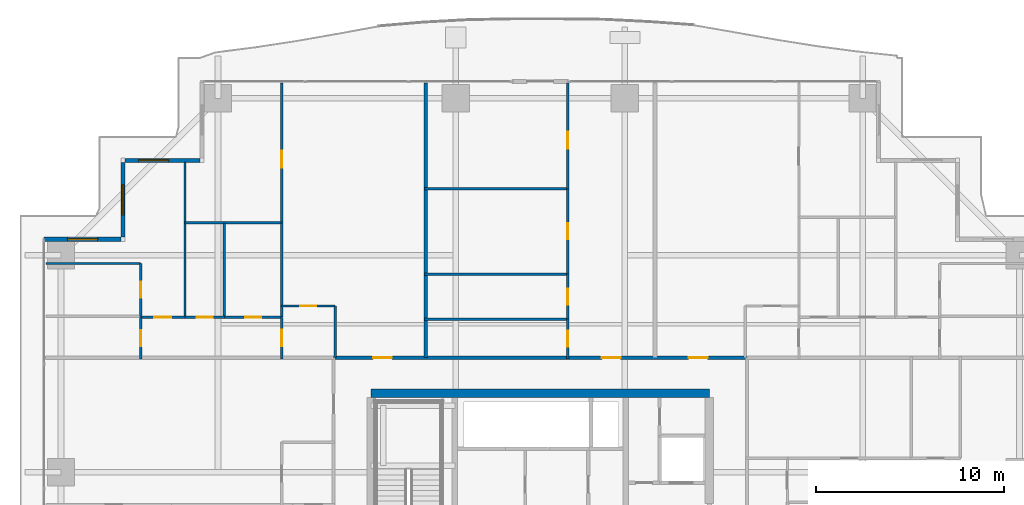
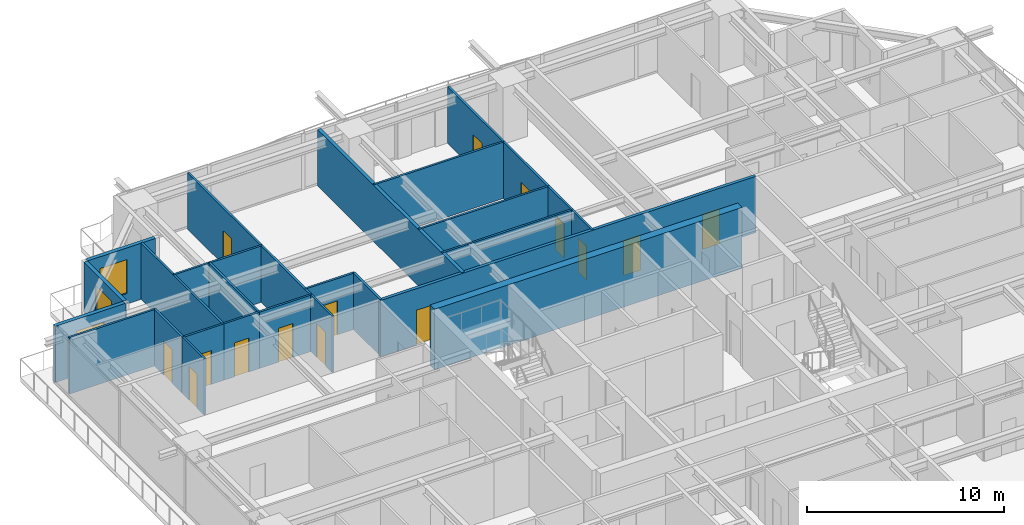
# One storey, part 30 of 37: 27 walls, 15 doors, 3 windows, 18 openings.
"""IFC4 building model written with IfcOpenShell, lengths in metres."""

from ifc_helpers import new_model, si_unit, direction, frame, frame_2d, origin, place, context, subcontext, project, spatial, rectangle, extrude, source, transform, mapped, material, layer, layer_set, type_object, element, fill, save


model = new_model("IFC4")

# Units and contexts
model_context = context("Model", 3, precision=1e-05, world=origin(), true_north=direction((0.0, 1.0)))
body_context = subcontext(model_context, "Body", "Model", "MODEL_VIEW")
ifc_project = project(units=[si_unit("LENGTHUNIT", "METRE"), si_unit("AREAUNIT", "SQUARE_METRE"), si_unit("VOLUMEUNIT", "CUBIC_METRE"), si_unit("PLANEANGLEUNIT", "RADIAN"), si_unit("MASSUNIT", "GRAM", prefix="KILO")], contexts=[model_context])

# Site, building, storey
site_placement = place(None, origin())
site = spatial("IfcSite", under=ifc_project, at=site_placement, CompositionType="ELEMENT")
building_placement = place(site_placement, origin())
building = spatial("IfcBuilding", under=site, at=building_placement, Name="Serunith Strait Residences", CompositionType="ELEMENT")
storey_placement = place(building_placement, frame((0.0, 0.0, 34.199951171875)))
storey = spatial("IfcBuildingStorey", under=building, at=storey_placement, Name="L07", CompositionType="ELEMENT", Elevation=34.199951171875)

# Wall, opening, window
ifc_material_1 = material(Name="Pale-Champagne Aluminium Insulated Panel", Category="aluminium")
ifc_layer_1 = layer(ifc_material_1, 0.219970703125, Name="Pale-Champagne Aluminium Insulated Panel")
ifc_layer_set_1 = layer_set([ifc_layer_1], Name="Pale-Champagne Aluminium Insulated Panel")
wall_type_1 = type_object("IfcWallType", Name="EW-ALUM-220", PredefinedType="ELEMENTEDWALL", material=ifc_layer_set_1)
wall_1_placement = place(storey_placement, frame((14.2900390625, 46.0, 0.0), z_axis=(0.0, 0.0, 1.0), x_axis=(-1.0, 0.0, 0.0)))
wall_1 = element("IfcWall", 1, at=wall_1_placement, inside=storey, type_object=wall_type_1, Name="L07 Girih Serrated Corner Wall 13", PredefinedType="ELEMENTEDWALL", context=body_context, shape_type="SweptSolid", body=[
    extrude(rectangle(XDim=3.97998046875, YDim=0.219970703125, at=frame_2d((1.989990234375, 0.0))), origin(), (0.0, 0.0, 1.0), 3.47509765625),
])
opening_1_placement = place(wall_1_placement, frame((1.666015625, 0.0, 0.64990234375)))
opening_1 = element("IfcOpeningElement", 2, at=opening_1_placement, cuts=wall_1, Name="Opening W-02", PredefinedType="OPENING", context=body_context, shape_type="SweptSolid", body=[
    extrude(rectangle(XDim=1.60009765625, YDim=2.10009765625, at=frame_2d((0.800048828125, 1.050048828125))), frame((0.0, 0.1201171875, 0.0), z_axis=(0.0, -1.0, 0.0), x_axis=(1.0, 0.0, 0.0)), (0.0, 0.0, 1.0), 0.239990234375),
])
ifc_material_2 = material(Name="Ceramic-Fritted Operable Aluminium Window Glass", Category="aluminium")
window_type = type_object("IfcWindowType", Name="WIN-C2", PartitioningType="DOUBLE_PANEL_VERTICAL", PredefinedType="WINDOW", material=ifc_material_2)
shared_shape_1 = source(origin(), body_context, "Body", "SweptSolid", [
    extrude(rectangle(XDim=1.60009765625, YDim=2.10009765625, at=frame_2d((0.800048828125, 1.050048828125))), frame((0.0, 0.030029296875, 0.0), z_axis=(0.0, -1.0, 0.0), x_axis=(1.0, 0.0, 0.0)), (0.0, 0.0, 1.0), 0.06005859375),
])
window_1_placement = place(opening_1_placement, origin())
window_1 = element("IfcWindow", 3, at=window_1_placement, inside=storey, type_object=window_type, Name="L07 Corner Operable Fritted Window 13", OverallHeight=2.10009765625, OverallWidth=1.60009765625, PartitioningType="SINGLE_PANEL", PredefinedType="WINDOW", context=body_context, shape_type="MappedRepresentation", body=[
    mapped(shared_shape_1, transform((0.0, 0.0, 0.0), scale=1.0)),
])
fill(opening_1, window_1)

wall_2_placement = place(storey_placement, frame((10.199951171875, 45.889892578125, 0.0), z_axis=(0.0, 0.0, 1.0), x_axis=(0.0, -1.0, 0.0)))
wall_2 = element("IfcWall", 4, at=wall_2_placement, inside=storey, type_object=wall_type_1, Name="L07 Girih Serrated Corner Wall 14", PredefinedType="ELEMENTEDWALL", context=body_context, shape_type="SweptSolid", body=[
    extrude(rectangle(XDim=3.97998046875, YDim=0.219970703125, at=frame_2d((1.989990234375, 0.0))), origin(), (0.0, 0.0, 1.0), 3.47509765625),
])
opening_2_placement = place(wall_2_placement, frame((1.18994140625, 0.0, 0.64990234375)))
opening_2 = element("IfcOpeningElement", 5, at=opening_2_placement, cuts=wall_2, Name="Opening W-02", PredefinedType="OPENING", context=body_context, shape_type="SweptSolid", body=[
    extrude(rectangle(XDim=1.60009765625, YDim=2.10009765625, at=frame_2d((0.800048828125, 1.050048828125))), frame((0.0, 0.1201171875, 0.0), z_axis=(0.0, -1.0, 0.0), x_axis=(1.0, 0.0, 0.0)), (0.0, 0.0, 1.0), 0.239990234375),
])
window_2_placement = place(opening_2_placement, origin())
window_2 = element("IfcWindow", 6, at=window_2_placement, inside=storey, type_object=window_type, Name="L07 Corner Operable Fritted Window 14", OverallHeight=2.10009765625, OverallWidth=1.60009765625, PartitioningType="SINGLE_PANEL", PredefinedType="WINDOW", context=body_context, shape_type="MappedRepresentation", body=[
    mapped(shared_shape_1, transform((0.0, 0.0, 0.0), scale=1.0)),
])
fill(opening_2, window_2)

wall_3_placement = place(storey_placement, frame((10.090087890625, 41.800048828125, 0.0), z_axis=(0.0, 0.0, 1.0), x_axis=(-1.0, 0.0, 0.0)))
wall_3 = element("IfcWall", 7, at=wall_3_placement, inside=storey, type_object=wall_type_1, Name="L07 Girih Serrated Corner Wall 15", PredefinedType="ELEMENTEDWALL", context=body_context, shape_type="SweptSolid", body=[
    extrude(rectangle(XDim=4.090087890625, YDim=0.219970703125, at=frame_2d((2.044921875, 0.0))), origin(), (0.0, 0.0, 1.0), 3.47509765625),
])
opening_3_placement = place(wall_3_placement, frame((1.2451171875, 0.0, 0.64990234375)))
opening_3 = element("IfcOpeningElement", 8, at=opening_3_placement, cuts=wall_3, Name="Opening W-02", PredefinedType="OPENING", context=body_context, shape_type="SweptSolid", body=[
    extrude(rectangle(XDim=1.60009765625, YDim=2.10009765625, at=frame_2d((0.800048828125, 1.050048828125))), frame((0.0, 0.1201171875, 0.0), z_axis=(0.0, -1.0, 0.0), x_axis=(1.0, 0.0, 0.0)), (0.0, 0.0, 1.0), 0.239990234375),
])
window_3_placement = place(opening_3_placement, origin())
window_3 = element("IfcWindow", 9, at=window_3_placement, inside=storey, type_object=window_type, Name="L07 Corner Operable Fritted Window 15", OverallHeight=2.10009765625, OverallWidth=1.60009765625, PartitioningType="SINGLE_PANEL", PredefinedType="WINDOW", context=body_context, shape_type="MappedRepresentation", body=[
    mapped(shared_shape_1, transform((0.0, 0.0, 0.0), scale=1.0)),
])
fill(opening_3, window_3)

# Wall, openings, doors
ifc_material_3 = material(Name="Fire-rated acoustic gypsum partition")
ifc_layer_2 = layer(ifc_material_3, 0.179931640625, Name="Fire-rated acoustic gypsum partition")
ifc_layer_set_2 = layer_set([ifc_layer_2], Name="Fire-rated acoustic gypsum partition")
wall_type_2 = type_object("IfcWallType", Name="IW-CORR-180", PredefinedType="PARTITIONING", material=ifc_layer_set_2)
wall_4_placement = place(storey_placement, frame((21.402099609375, 35.5, 0.0), z_axis=(0.0, 0.0, 1.0), x_axis=(1.0, 0.0, 0.0)))
wall_4 = element("IfcWall", 10, at=wall_4_placement, inside=storey, type_object=wall_type_2, Name="L07 Partition Wall 024", PredefinedType="PARTITIONING", context=body_context, shape_type="SweptSolid", body=[
    extrude(rectangle(XDim=21.995849609375, YDim=0.179931640625, at=frame_2d((10.998046875, 0.0))), origin(), (0.0, 0.0, 1.0), 3.489990234375),
])
opening_4_placement = place(wall_4_placement, frame((2.10009765625, 0.0, 0.0)))
opening_4 = element("IfcOpeningElement", 11, at=opening_4_placement, cuts=wall_4, Name="Opening D-APT1000", PredefinedType="OPENING", context=body_context, shape_type="SweptSolid", body=[
    extrude(rectangle(XDim=1.0, YDim=2.14990234375, at=frame_2d((0.5, 1.074951171875))), frame((0.0, 0.10009765625, 0.0), z_axis=(0.0, -1.0, 0.0), x_axis=(1.0, 0.0, 0.0)), (0.0, 0.0, 1.0), 0.199951171875),
])
opening_5_placement = place(wall_4_placement, frame((14.277099609375, 0.0, 0.0)))
opening_5 = element("IfcOpeningElement", 12, at=opening_5_placement, cuts=wall_4, Name="Opening D-APT1000", PredefinedType="OPENING", context=body_context, shape_type="SweptSolid", body=[
    extrude(rectangle(XDim=1.0, YDim=2.14990234375, at=frame_2d((0.5, 1.074951171875))), frame((0.0, 0.10009765625, 0.0), z_axis=(0.0, -1.0, 0.0), x_axis=(1.0, 0.0, 0.0)), (0.0, 0.0, 1.0), 0.199951171875),
])
opening_6_placement = place(wall_4_placement, frame((18.89599609375, 0.0, 0.0)))
opening_6 = element("IfcOpeningElement", 13, at=opening_6_placement, cuts=wall_4, Name="Opening D-APT1000", PredefinedType="OPENING", context=body_context, shape_type="SweptSolid", body=[
    extrude(rectangle(XDim=1.0, YDim=2.14990234375, at=frame_2d((0.5, 1.074951171875))), frame((0.0, 0.10009765625, 0.0), z_axis=(0.0, -1.0, 0.0), x_axis=(1.0, 0.0, 0.0)), (0.0, 0.0, 1.0), 0.199951171875),
])
ifc_material_4 = material(Name="Solid timber engineered fire door", Category="wood")
door_type_1 = type_object("IfcDoorType", Name="ID-APT-1000", OperationType="NOTDEFINED", PredefinedType="DOOR", material=ifc_material_4)
shared_shape_2 = source(origin(), body_context, "Body", "SweptSolid", [
    extrude(rectangle(XDim=1.0, YDim=2.14990234375, at=frame_2d((0.5, 1.074951171875))), frame((0.0, 0.02490234375, 0.0), z_axis=(0.0, -1.0, 0.0), x_axis=(1.0, 0.0, 0.0)), (0.0, 0.0, 1.0), 0.050048828125),
])
door_1_placement = place(opening_4_placement, origin())
door_1 = element("IfcDoor", 14, at=door_1_placement, inside=storey, type_object=door_type_1, Name="L07 Unit 04 Entrance Door", OperationType="SINGLE_SWING_LEFT", OverallHeight=2.14990234375, OverallWidth=1.0, PredefinedType="DOOR", context=body_context, shape_type="MappedRepresentation", body=[
    mapped(shared_shape_2, transform((0.0, 0.0, 0.0), scale=1.0)),
])
fill(opening_4, door_1)
door_2_placement = place(opening_5_placement, origin())
door_2 = element("IfcDoor", 15, at=door_2_placement, inside=storey, type_object=door_type_1, Name="L07 Unit 05 Entrance Door", OperationType="SINGLE_SWING_RIGHT", OverallHeight=2.14990234375, OverallWidth=1.0, PredefinedType="DOOR", context=body_context, shape_type="MappedRepresentation", body=[
    mapped(shared_shape_2, transform((0.0, 0.0, 0.0), scale=1.0)),
])
fill(opening_5, door_2)
door_3_placement = place(opening_6_placement, origin())
door_3 = element("IfcDoor", 16, at=door_3_placement, inside=storey, type_object=door_type_1, Name="L07 Unit 06 Entrance Door", OperationType="SINGLE_SWING_LEFT", OverallHeight=2.14990234375, OverallWidth=1.0, PredefinedType="DOOR", context=body_context, shape_type="MappedRepresentation", body=[
    mapped(shared_shape_2, transform((0.0, 0.0, 0.0), scale=1.0)),
])
fill(opening_6, door_3)

# Wall, opening, door
ifc_material_5 = material(Name="Lightweight steel-stud gypsum partition", Category="steel")
ifc_layer_3 = layer(ifc_material_5, 0.1201171875, Name="Lightweight steel-stud gypsum partition")
ifc_layer_set_3 = layer_set([ifc_layer_3], Name="Lightweight steel-stud gypsum partition")
wall_type_3 = type_object("IfcWallType", Name="IW-PART-120", PredefinedType="PARTITIONING", material=ifc_layer_set_3)
wall_5_placement = place(storey_placement, frame((18.639892578125, 38.25, 0.0), z_axis=(0.0, 0.0, 1.0), x_axis=(1.0, 0.0, 0.0)))
wall_5 = element("IfcWall", 17, at=wall_5_placement, inside=storey, type_object=wall_type_3, Name="L07 Partition Wall 064", PredefinedType="PARTITIONING", context=body_context, shape_type="SweptSolid", body=[
    extrude(rectangle(XDim=2.85009765625, YDim=0.1201171875, at=frame_2d((1.425048828125, 0.0))), origin(), (0.0, 0.0, 1.0), 3.489990234375),
])
opening_7_placement = place(wall_5_placement, frame((1.0, 0.0, 0.0)))
opening_7 = element("IfcOpeningElement", 18, at=opening_7_placement, cuts=wall_5, Name="Opening D-RM850", PredefinedType="OPENING", context=body_context, shape_type="SweptSolid", body=[
    extrude(rectangle(XDim=0.85009765625, YDim=2.10009765625, at=frame_2d((0.425048828125, 1.050048828125))), frame((0.0, 0.070068359375, 0.0), z_axis=(0.0, -1.0, 0.0), x_axis=(1.0, 0.0, 0.0)), (0.0, 0.0, 1.0), 0.14013671875),
])
ifc_material_6 = material(Name="Engineered timber flush study and kitchen door", Category="wood")
door_type_2 = type_object("IfcDoorType", Name="ID-ROOM-850", OperationType="NOTDEFINED", PredefinedType="DOOR", material=ifc_material_6)
shared_shape_3 = source(origin(), body_context, "Body", "SweptSolid", [
    extrude(rectangle(XDim=0.85009765625, YDim=2.10009765625, at=frame_2d((0.425048828125, 1.050048828125))), frame((0.0, 0.02490234375, 0.0), z_axis=(0.0, -1.0, 0.0), x_axis=(1.0, 0.0, 0.0)), (0.0, 0.0, 1.0), 0.050048828125),
])
door_4_placement = place(opening_7_placement, origin())
door_4 = element("IfcDoor", 19, at=door_4_placement, inside=storey, type_object=door_type_2, Name="L07 Kitchen 0704 Door", OperationType="SINGLE_SWING_RIGHT", OverallHeight=2.10009765625, OverallWidth=0.85009765625, PredefinedType="DOOR", context=body_context, shape_type="MappedRepresentation", body=[
    mapped(shared_shape_3, transform((0.0, 0.0, 0.0), scale=1.0)),
])
fill(opening_7, door_4)

# Wall
wall_6_placement = place(storey_placement, frame((21.489990234375, 38.25, 0.0), z_axis=(0.0, 0.0, 1.0), x_axis=(0.0, -1.0, 0.0)))
element("IfcWall", 20, at=wall_6_placement, inside=storey, type_object=wall_type_3, Name="L07 Partition Wall 065", PredefinedType="PARTITIONING", context=body_context, shape_type="SweptSolid", body=[
    extrude(rectangle(XDim=2.748046875, YDim=0.1201171875, at=frame_2d((1.3740234375, 0.0))), origin(), (0.0, 0.0, 1.0), 3.489990234375),
])

# Wall, opening, door
wall_7_placement = place(storey_placement, frame((18.639892578125, 37.64990234375, 0.0), z_axis=(0.0, 0.0, 1.0), x_axis=(0.0, -1.0, 0.0)))
wall_7 = element("IfcWall", 21, at=wall_7_placement, inside=storey, type_object=wall_type_3, Name="L07 Partition Wall 066", PredefinedType="PARTITIONING", context=body_context, shape_type="SweptSolid", body=[
    extrude(rectangle(XDim=2.2099609375, YDim=0.1201171875, at=frame_2d((1.10498046875, 0.0))), origin(), (0.0, 0.0, 1.0), 3.489990234375),
])
opening_8_placement = place(wall_7_placement, frame((0.655029296875, 0.0, 0.0)))
opening_8 = element("IfcOpeningElement", 22, at=opening_8_placement, cuts=wall_7, Name="Opening D-RM900", PredefinedType="OPENING", context=body_context, shape_type="SweptSolid", body=[
    extrude(rectangle(XDim=0.89990234375, YDim=2.10009765625, at=frame_2d((0.449951171875, 1.050048828125))), frame((0.0, 0.070068359375, 0.0), z_axis=(0.0, -1.0, 0.0), x_axis=(1.0, 0.0, 0.0)), (0.0, 0.0, 1.0), 0.14013671875),
])
ifc_material_7 = material(Name="Engineered timber flush bedroom door", Category="wood")
door_type_3 = type_object("IfcDoorType", Name="ID-ROOM-900", OperationType="NOTDEFINED", PredefinedType="DOOR", material=ifc_material_7)
shared_shape_4 = source(origin(), body_context, "Body", "SweptSolid", [
    extrude(rectangle(XDim=0.89990234375, YDim=2.10009765625, at=frame_2d((0.449951171875, 1.050048828125))), frame((0.0, 0.02490234375, 0.0), z_axis=(0.0, -1.0, 0.0), x_axis=(1.0, 0.0, 0.0)), (0.0, 0.0, 1.0), 0.050048828125),
])
door_5_placement = place(opening_8_placement, origin())
door_5 = element("IfcDoor", 23, at=door_5_placement, inside=storey, type_object=door_type_3, Name="L07 Hall W 0704 Door", OperationType="SINGLE_SWING_LEFT", OverallHeight=2.10009765625, OverallWidth=0.89990234375, PredefinedType="DOOR", context=body_context, shape_type="MappedRepresentation", body=[
    mapped(shared_shape_4, transform((0.0, 0.0, 0.0), scale=1.0)),
])
fill(opening_8, door_5)

wall_8_placement = place(storey_placement, frame((18.639892578125, 50.10498046875, 0.0), z_axis=(0.0, 0.0, 1.0), x_axis=(0.0, -1.0, 0.0)))
wall_8 = element("IfcWall", 24, at=wall_8_placement, inside=storey, type_object=wall_type_3, Name="L07 Partition Wall 067", PredefinedType="PARTITIONING", context=body_context, shape_type="SweptSolid", body=[
    extrude(rectangle(XDim=7.432861328125, YDim=0.1201171875, at=frame_2d((3.71630859375, 0.0))), origin(), (0.0, 0.0, 1.0), 3.489990234375),
])
opening_9_placement = place(wall_8_placement, frame((3.593017578125, 0.0, 0.0)))
opening_9 = element("IfcOpeningElement", 25, at=opening_9_placement, cuts=wall_8, Name="Opening D-RM900", PredefinedType="OPENING", context=body_context, shape_type="SweptSolid", body=[
    extrude(rectangle(XDim=0.89990234375, YDim=2.10009765625, at=frame_2d((0.449951171875, 1.050048828125))), frame((0.0, 0.070068359375, 0.0), z_axis=(0.0, -1.0, 0.0), x_axis=(1.0, 0.0, 0.0)), (0.0, 0.0, 1.0), 0.14013671875),
])
door_6_placement = place(opening_9_placement, origin())
door_6 = element("IfcDoor", 26, at=door_6_placement, inside=storey, type_object=door_type_3, Name="L07 Formal Dining Room 1 0704 Door", OperationType="SINGLE_SWING_RIGHT", OverallHeight=2.10009765625, OverallWidth=0.89990234375, PredefinedType="DOOR", context=body_context, shape_type="MappedRepresentation", body=[
    mapped(shared_shape_4, transform((0.0, 0.0, 0.0), scale=1.0)),
])
fill(opening_9, door_6)

# Walls
wall_9_placement = place(storey_placement, frame((18.639892578125, 42.669921875, 0.0), z_axis=(0.0, 0.0, 1.0), x_axis=(0.0, -1.0, 0.0)))
element("IfcWall", 27, at=wall_9_placement, inside=storey, type_object=wall_type_3, Name="L07 Partition Wall 068", PredefinedType="PARTITIONING", context=body_context, shape_type="SweptSolid", body=[
    extrude(rectangle(XDim=5.017822265625, YDim=0.1201171875, at=frame_2d((2.5087890625, 0.0))), origin(), (0.0, 0.0, 1.0), 3.489990234375),
])
wall_10_placement = place(storey_placement, frame((13.489990234375, 42.672119140625, 0.0), z_axis=(0.0, 0.0, 1.0), x_axis=(1.0, 0.0, 0.0)))
element("IfcWall", 28, at=wall_10_placement, inside=storey, type_object=wall_type_3, Name="L07 Partition Wall 069", PredefinedType="PARTITIONING", context=body_context, shape_type="SweptSolid", body=[
    extrude(rectangle(XDim=5.14990234375, YDim=0.1201171875, at=frame_2d((2.574951171875, 0.0))), origin(), (0.0, 0.0, 1.0), 3.489990234375),
])
wall_11_placement = place(storey_placement, frame((13.489990234375, 45.905029296875, 0.0), z_axis=(0.0, 0.0, 1.0), x_axis=(0.0, -1.0, 0.0)))
element("IfcWall", 29, at=wall_11_placement, inside=storey, type_object=wall_type_3, Name="L07 Partition Wall 070", PredefinedType="PARTITIONING", context=body_context, shape_type="SweptSolid", body=[
    extrude(rectangle(XDim=8.255126953125, YDim=0.1201171875, at=frame_2d((4.12744140625, 0.0))), origin(), (0.0, 0.0, 1.0), 3.489990234375),
])
wall_12_placement = place(storey_placement, frame((15.590087890625, 42.672119140625, 0.0), z_axis=(0.0, 0.0, 1.0), x_axis=(0.0, -1.0, 0.0)))
element("IfcWall", 30, at=wall_12_placement, inside=storey, type_object=wall_type_3, Name="L07 Partition Wall 071", PredefinedType="PARTITIONING", context=body_context, shape_type="SweptSolid", body=[
    extrude(rectangle(XDim=5.022216796875, YDim=0.1201171875, at=frame_2d((2.51123046875, 0.0))), origin(), (0.0, 0.0, 1.0), 3.489990234375),
])

# Wall, opening, door
wall_13_placement = place(storey_placement, frame((13.489990234375, 37.64990234375, 0.0), z_axis=(0.0, 0.0, 1.0), x_axis=(1.0, 0.0, 0.0)))
wall_13 = element("IfcWall", 31, at=wall_13_placement, inside=storey, type_object=wall_type_3, Name="L07 Partition Wall 072", PredefinedType="PARTITIONING", context=body_context, shape_type="SweptSolid", body=[
    extrude(rectangle(XDim=2.10009765625, YDim=0.1201171875, at=frame_2d((1.050048828125, 0.0))), origin(), (0.0, 0.0, 1.0), 3.489990234375),
])
opening_10_placement = place(wall_13_placement, frame((0.625, 0.0, 0.0)))
opening_10 = element("IfcOpeningElement", 32, at=opening_10_placement, cuts=wall_13, Name="Opening D-BTH850", PredefinedType="OPENING", context=body_context, shape_type="SweptSolid", body=[
    extrude(rectangle(XDim=0.85009765625, YDim=2.10009765625, at=frame_2d((0.425048828125, 1.050048828125))), frame((0.0, 0.070068359375, 0.0), z_axis=(0.0, -1.0, 0.0), x_axis=(1.0, 0.0, 0.0)), (0.0, 0.0, 1.0), 0.14013671875),
])
ifc_material_8 = material(Name="Moisture-resistant timber bathroom door", Category="wood")
door_type_4 = type_object("IfcDoorType", Name="ID-BATH-850", OperationType="NOTDEFINED", PredefinedType="DOOR", material=ifc_material_8)
door_7_placement = place(opening_10_placement, origin())
door_7 = element("IfcDoor", 33, at=door_7_placement, inside=storey, type_object=door_type_4, Name="L07 Bathroom 0704 Door", OperationType="SINGLE_SWING_LEFT", OverallHeight=2.10009765625, OverallWidth=0.85009765625, PredefinedType="DOOR", context=body_context, shape_type="MappedRepresentation", body=[
    mapped(shared_shape_3, transform((0.0, 0.0, 0.0), scale=1.0)),
])
fill(opening_10, door_7)

wall_14_placement = place(storey_placement, frame((15.592041015625, 37.64990234375, 0.0), z_axis=(0.0, 0.0, 1.0), x_axis=(1.0, 0.0, 0.0)))
wall_14 = element("IfcWall", 34, at=wall_14_placement, inside=storey, type_object=wall_type_3, Name="L07 Partition Wall 073", PredefinedType="PARTITIONING", context=body_context, shape_type="SweptSolid", body=[
    extrude(rectangle(XDim=3.0478515625, YDim=0.1201171875, at=frame_2d((1.52392578125, 0.0))), origin(), (0.0, 0.0, 1.0), 3.489990234375),
])
opening_11_placement = place(wall_14_placement, frame((1.09912109375, 0.0, 0.0)))
opening_11 = element("IfcOpeningElement", 35, at=opening_11_placement, cuts=wall_14, Name="Opening D-RM850", PredefinedType="OPENING", context=body_context, shape_type="SweptSolid", body=[
    extrude(rectangle(XDim=0.85009765625, YDim=2.10009765625, at=frame_2d((0.425048828125, 1.050048828125))), frame((0.0, 0.070068359375, 0.0), z_axis=(0.0, -1.0, 0.0), x_axis=(1.0, 0.0, 0.0)), (0.0, 0.0, 1.0), 0.14013671875),
])
door_8_placement = place(opening_11_placement, origin())
door_8 = element("IfcDoor", 36, at=door_8_placement, inside=storey, type_object=door_type_2, Name="L07 Laundry Room 0704 Door", OperationType="SINGLE_SWING_RIGHT", OverallHeight=2.10009765625, OverallWidth=0.85009765625, PredefinedType="DOOR", context=body_context, shape_type="MappedRepresentation", body=[
    mapped(shared_shape_3, transform((0.0, 0.0, 0.0), scale=1.0)),
])
fill(opening_11, door_8)

wall_15_placement = place(storey_placement, frame((11.139892578125, 37.64990234375, 0.0), z_axis=(0.0, 0.0, 1.0), x_axis=(1.0, 0.0, 0.0)))
wall_15 = element("IfcWall", 37, at=wall_15_placement, inside=storey, type_object=wall_type_3, Name="L07 Partition Wall 074", PredefinedType="PARTITIONING", context=body_context, shape_type="SweptSolid", body=[
    extrude(rectangle(XDim=2.34814453125, YDim=0.1201171875, at=frame_2d((1.174072265625, 0.0))), origin(), (0.0, 0.0, 1.0), 3.489990234375),
])
opening_12_placement = place(wall_15_placement, frame((0.72412109375, 0.0, 0.0)))
opening_12 = element("IfcOpeningElement", 38, at=opening_12_placement, cuts=wall_15, Name="Opening D-RM900", PredefinedType="OPENING", context=body_context, shape_type="SweptSolid", body=[
    extrude(rectangle(XDim=0.89990234375, YDim=2.10009765625, at=frame_2d((0.449951171875, 1.050048828125))), frame((0.0, 0.070068359375, 0.0), z_axis=(0.0, -1.0, 0.0), x_axis=(1.0, 0.0, 0.0)), (0.0, 0.0, 1.0), 0.14013671875),
])
door_9_placement = place(opening_12_placement, origin())
door_9 = element("IfcDoor", 39, at=door_9_placement, inside=storey, type_object=door_type_3, Name="L07 Master Bedroom W 0704 Door", OperationType="SINGLE_SWING_LEFT", OverallHeight=2.10009765625, OverallWidth=0.89990234375, PredefinedType="DOOR", context=body_context, shape_type="MappedRepresentation", body=[
    mapped(shared_shape_4, transform((0.0, 0.0, 0.0), scale=1.0)),
])
fill(opening_12, door_9)

# Wall
wall_16_placement = place(storey_placement, frame((6.094970703125, 40.506103515625, 0.0), z_axis=(0.0, 0.0, 1.0), x_axis=(1.0, 0.0, 0.0)))
element("IfcWall", 40, at=wall_16_placement, inside=storey, type_object=wall_type_3, Name="L07 Partition Wall 075", PredefinedType="PARTITIONING", context=body_context, shape_type="SweptSolid", body=[
    extrude(rectangle(XDim=5.044921875, YDim=0.1201171875, at=frame_2d((2.5224609375, 0.0))), origin(), (0.0, 0.0, 1.0), 3.489990234375),
])

# Wall, opening, door
wall_17_placement = place(storey_placement, frame((11.139892578125, 40.506103515625, 0.0), z_axis=(0.0, 0.0, 1.0), x_axis=(0.0, -1.0, 0.0)))
wall_17 = element("IfcWall", 41, at=wall_17_placement, inside=storey, type_object=wall_type_3, Name="L07 Partition Wall 077", PredefinedType="PARTITIONING", context=body_context, shape_type="SweptSolid", body=[
    extrude(rectangle(XDim=2.80810546875, YDim=0.1201171875, at=frame_2d((1.404052734375, 0.0))), origin(), (0.0, 0.0, 1.0), 3.489990234375),
])
opening_13_placement = place(wall_17_placement, frame((0.97900390625, 0.0, 0.0)))
opening_13 = element("IfcOpeningElement", 42, at=opening_13_placement, cuts=wall_17, Name="Opening D-BTH850", PredefinedType="OPENING", context=body_context, shape_type="SweptSolid", body=[
    extrude(rectangle(XDim=0.85009765625, YDim=2.10009765625, at=frame_2d((0.425048828125, 1.050048828125))), frame((0.0, 0.070068359375, 0.0), z_axis=(0.0, -1.0, 0.0), x_axis=(1.0, 0.0, 0.0)), (0.0, 0.0, 1.0), 0.14013671875),
])
door_10_placement = place(opening_13_placement, origin())
door_10 = element("IfcDoor", 43, at=door_10_placement, inside=storey, type_object=door_type_4, Name="L07 En-suite Bathroom W 0704 Door", OperationType="SINGLE_SWING_RIGHT", OverallHeight=2.10009765625, OverallWidth=0.85009765625, PredefinedType="DOOR", context=body_context, shape_type="MappedRepresentation", body=[
    mapped(shared_shape_3, transform((0.0, 0.0, 0.0), scale=1.0)),
])
fill(opening_13, door_10)

wall_18_placement = place(storey_placement, frame((11.139892578125, 37.64990234375, 0.0), z_axis=(0.0, 0.0, 1.0), x_axis=(0.0, -1.0, 0.0)))
wall_18 = element("IfcWall", 44, at=wall_18_placement, inside=storey, type_object=wall_type_3, Name="L07 Partition Wall 078", PredefinedType="PARTITIONING", context=body_context, shape_type="SweptSolid", body=[
    extrude(rectangle(XDim=2.2099609375, YDim=0.1201171875, at=frame_2d((1.10498046875, 0.0))), origin(), (0.0, 0.0, 1.0), 3.489990234375),
])
opening_14_placement = place(wall_18_placement, frame((0.679931640625, 0.0, 0.0)))
opening_14 = element("IfcOpeningElement", 45, at=opening_14_placement, cuts=wall_18, Name="Opening D-RM850", PredefinedType="OPENING", context=body_context, shape_type="SweptSolid", body=[
    extrude(rectangle(XDim=0.85009765625, YDim=2.10009765625, at=frame_2d((0.425048828125, 1.050048828125))), frame((0.0, 0.070068359375, 0.0), z_axis=(0.0, -1.0, 0.0), x_axis=(1.0, 0.0, 0.0)), (0.0, 0.0, 1.0), 0.14013671875),
])
door_11_placement = place(opening_14_placement, origin())
door_11 = element("IfcDoor", 46, at=door_11_placement, inside=storey, type_object=door_type_2, Name="L07 Wardrobe W 0704 Door", OperationType="SINGLE_SWING_LEFT", OverallHeight=2.10009765625, OverallWidth=0.85009765625, PredefinedType="DOOR", context=body_context, shape_type="MappedRepresentation", body=[
    mapped(shared_shape_3, transform((0.0, 0.0, 0.0), scale=1.0)),
])
fill(opening_14, door_11)

wall_19_placement = place(storey_placement, frame((33.860107421875, 50.10498046875, 0.0), z_axis=(0.0, 0.0, 1.0), x_axis=(0.0, -1.0, 0.0)))
wall_19 = element("IfcWall", 47, at=wall_19_placement, inside=storey, type_object=wall_type_3, Name="L07 Partition Wall 079", PredefinedType="PARTITIONING", context=body_context, shape_type="SweptSolid", body=[
    extrude(rectangle(XDim=5.618896484375, YDim=0.1201171875, at=frame_2d((2.8095703125, 0.0))), origin(), (0.0, 0.0, 1.0), 3.489990234375),
])
opening_15_placement = place(wall_19_placement, frame((2.594970703125, 0.0, 0.0)))
opening_15 = element("IfcOpeningElement", 48, at=opening_15_placement, cuts=wall_19, Name="Opening D-RM900", PredefinedType="OPENING", context=body_context, shape_type="SweptSolid", body=[
    extrude(rectangle(XDim=0.89990234375, YDim=2.10009765625, at=frame_2d((0.449951171875, 1.050048828125))), frame((0.0, 0.070068359375, 0.0), z_axis=(0.0, -1.0, 0.0), x_axis=(1.0, 0.0, 0.0)), (0.0, 0.0, 1.0), 0.14013671875),
])
door_12_placement = place(opening_15_placement, origin())
door_12 = element("IfcDoor", 49, at=door_12_placement, inside=storey, type_object=door_type_3, Name="L07 Master Bedroom 1 0705 Door", OperationType="SINGLE_SWING_RIGHT", OverallHeight=2.10009765625, OverallWidth=0.89990234375, PredefinedType="DOOR", context=body_context, shape_type="MappedRepresentation", body=[
    mapped(shared_shape_4, transform((0.0, 0.0, 0.0), scale=1.0)),
])
fill(opening_15, door_12)

# Walls
for number, where, z_axis, x_axis, name in (
    (50, (26.239990234375, 44.486083984375, 0.0), (0.0, 0.0, 1.0), (1.0, 0.0, 0.0), "L07 Partition Wall 080"),
    (51, (26.239990234375, 39.944091796875, 0.0), (0.0, 0.0, 1.0), (1.0, 0.0, 0.0), "L07 Partition Wall 081"),
    (52, (26.239990234375, 37.550048828125, 0.0), (0.0, 0.0, 1.0), (1.0, 0.0, 0.0), "L07 Partition Wall 082"),
):
    element("IfcWall", number, at=place(storey_placement, frame(where, z_axis=z_axis, x_axis=x_axis)), inside=storey, type_object=wall_type_3, Name=name, PredefinedType="PARTITIONING", context=body_context, shape_type="SweptSolid", body=[
        extrude(rectangle(XDim=7.6201171875, YDim=0.1201171875, at=frame_2d((3.81005859375, 0.0))), origin(), (0.0, 0.0, 1.0), 3.489990234375),
    ])

# Wall, opening, door
wall_20_placement = place(storey_placement, frame((33.860107421875, 44.48388671875, 0.0), z_axis=(0.0, 0.0, 1.0), x_axis=(0.0, -1.0, 0.0)))
wall_20 = element("IfcWall", 53, at=wall_20_placement, inside=storey, type_object=wall_type_3, Name="L07 Partition Wall 083", PredefinedType="PARTITIONING", context=body_context, shape_type="SweptSolid", body=[
    extrude(rectangle(XDim=4.539794921875, YDim=0.1201171875, at=frame_2d((2.27001953125, 0.0))), origin(), (0.0, 0.0, 1.0), 3.489990234375),
])
opening_16_placement = place(wall_20_placement, frame((1.844970703125, 0.0, 0.0)))
opening_16 = element("IfcOpeningElement", 54, at=opening_16_placement, cuts=wall_20, Name="Opening D-RM850", PredefinedType="OPENING", context=body_context, shape_type="SweptSolid", body=[
    extrude(rectangle(XDim=0.85009765625, YDim=2.10009765625, at=frame_2d((0.425048828125, 1.050048828125))), frame((0.0, 0.070068359375, 0.0), z_axis=(0.0, -1.0, 0.0), x_axis=(1.0, 0.0, 0.0)), (0.0, 0.0, 1.0), 0.14013671875),
])
door_13_placement = place(opening_16_placement, origin())
door_13 = element("IfcDoor", 55, at=door_13_placement, inside=storey, type_object=door_type_2, Name="L07 Dining 0705 Door", OperationType="SINGLE_SWING_LEFT", OverallHeight=2.10009765625, OverallWidth=0.85009765625, PredefinedType="DOOR", context=body_context, shape_type="MappedRepresentation", body=[
    mapped(shared_shape_3, transform((0.0, 0.0, 0.0), scale=1.0)),
])
fill(opening_16, door_13)

wall_21_placement = place(storey_placement, frame((33.860107421875, 39.94189453125, 0.0), z_axis=(0.0, 0.0, 1.0), x_axis=(0.0, -1.0, 0.0)))
wall_21 = element("IfcWall", 56, at=wall_21_placement, inside=storey, type_object=wall_type_3, Name="L07 Partition Wall 084", PredefinedType="PARTITIONING", context=body_context, shape_type="SweptSolid", body=[
    extrude(rectangle(XDim=2.391845703125, YDim=0.1201171875, at=frame_2d((1.19580078125, 0.0))), origin(), (0.0, 0.0, 1.0), 3.489990234375),
])
opening_17_placement = place(wall_21_placement, frame((0.77099609375, 0.0, 0.0)))
opening_17 = element("IfcOpeningElement", 57, at=opening_17_placement, cuts=wall_21, Name="Opening D-RM850", PredefinedType="OPENING", context=body_context, shape_type="SweptSolid", body=[
    extrude(rectangle(XDim=0.85009765625, YDim=2.10009765625, at=frame_2d((0.425048828125, 1.050048828125))), frame((0.0, 0.070068359375, 0.0), z_axis=(0.0, -1.0, 0.0), x_axis=(1.0, 0.0, 0.0)), (0.0, 0.0, 1.0), 0.14013671875),
])
door_14_placement = place(opening_17_placement, origin())
door_14 = element("IfcDoor", 58, at=door_14_placement, inside=storey, type_object=door_type_2, Name="L07 Kitchen 0705 Door", OperationType="SINGLE_SWING_RIGHT", OverallHeight=2.10009765625, OverallWidth=0.85009765625, PredefinedType="DOOR", context=body_context, shape_type="MappedRepresentation", body=[
    mapped(shared_shape_3, transform((0.0, 0.0, 0.0), scale=1.0)),
])
fill(opening_17, door_14)

wall_22_placement = place(storey_placement, frame((33.860107421875, 37.548095703125, 0.0), z_axis=(0.0, 0.0, 1.0), x_axis=(0.0, -1.0, 0.0)))
wall_22 = element("IfcWall", 59, at=wall_22_placement, inside=storey, type_object=wall_type_3, Name="L07 Partition Wall 085", PredefinedType="PARTITIONING", context=body_context, shape_type="SweptSolid", body=[
    extrude(rectangle(XDim=2.108154296875, YDim=0.1201171875, at=frame_2d((1.05419921875, 0.0))), origin(), (0.0, 0.0, 1.0), 3.489990234375),
])
opening_18_placement = place(wall_22_placement, frame((0.62890625, 0.0, 0.0)))
opening_18 = element("IfcOpeningElement", 60, at=opening_18_placement, cuts=wall_22, Name="Opening D-BTH850", PredefinedType="OPENING", context=body_context, shape_type="SweptSolid", body=[
    extrude(rectangle(XDim=0.85009765625, YDim=2.10009765625, at=frame_2d((0.425048828125, 1.050048828125))), frame((0.0, 0.070068359375, 0.0), z_axis=(0.0, -1.0, 0.0), x_axis=(1.0, 0.0, 0.0)), (0.0, 0.0, 1.0), 0.14013671875),
])
door_15_placement = place(opening_18_placement, origin())
door_15 = element("IfcDoor", 61, at=door_15_placement, inside=storey, type_object=door_type_4, Name="L07 Bathroom 0705 Door", OperationType="SINGLE_SWING_LEFT", OverallHeight=2.10009765625, OverallWidth=0.85009765625, PredefinedType="DOOR", context=body_context, shape_type="MappedRepresentation", body=[
    mapped(shared_shape_3, transform((0.0, 0.0, 0.0), scale=1.0)),
])
fill(opening_18, door_15)

# Walls
ifc_material_9 = material(Name="Twin-stud acoustic gypsum board partition")
ifc_layer_4 = layer(ifc_material_9, 0.199951171875, Name="Twin-stud acoustic gypsum board partition")
ifc_layer_set_4 = layer_set([ifc_layer_4], Name="Twin-stud acoustic gypsum board partition")
wall_type_4 = type_object("IfcWallType", Name="IW-PARTY-200", PredefinedType="PARTITIONING", material=ifc_layer_set_4)
wall_23_placement = place(storey_placement, frame((26.300048828125, 35.5, 0.0), z_axis=(0.0, 0.0, 1.0), x_axis=(0.0, 1.0, 0.0)))
element("IfcWall", 62, at=wall_23_placement, inside=storey, type_object=wall_type_4, Name="L07 Partition Wall 017", PredefinedType="PARTITIONING", context=body_context, shape_type="SweptSolid", body=[
    extrude(rectangle(XDim=14.617919921875, YDim=0.199951171875, at=frame_2d((7.30908203125, 0.0))), origin(), (0.0, 0.0, 1.0), 3.489990234375),
])
ifc_material_10 = material(Name="Concrete C80/95", Category="concrete")
ifc_layer_5 = layer(ifc_material_10, 0.449951171875, Name="Concrete C80/95")
ifc_layer_set_5 = layer_set([ifc_layer_5], Name="Concrete C80/95")
wall_type_5 = type_object("IfcWallType", Name="SW-450-C80", PredefinedType="SHEAR", material=ifc_layer_set_5)
wall_24_placement = place(storey_placement, frame((41.39990234375, 33.60009765625, -0.260009765625), z_axis=(0.0, 0.0, 1.0), x_axis=(-1.0, 0.0, 0.0)))
element("IfcWall", 63, at=wall_24_placement, inside=storey, type_object=wall_type_5, Name="L07 Core North Shear Wall", PredefinedType="SHEAR", context=body_context, shape_type="SweptSolid", body=[
    extrude(rectangle(XDim=18.0, YDim=0.449951171875, at=frame_2d((9.0, 0.0))), origin(), (0.0, 0.0, 1.0), 3.748046875),
])

save(model, "model.ifc")
